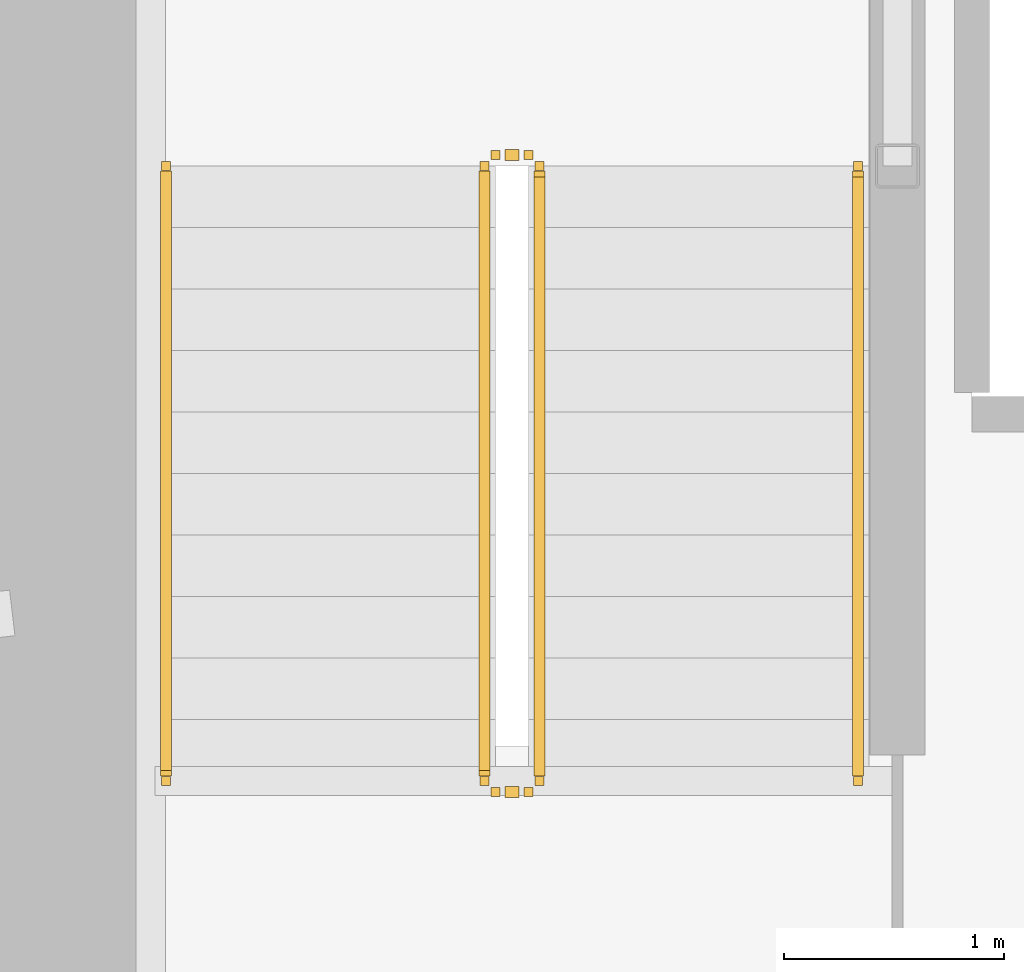
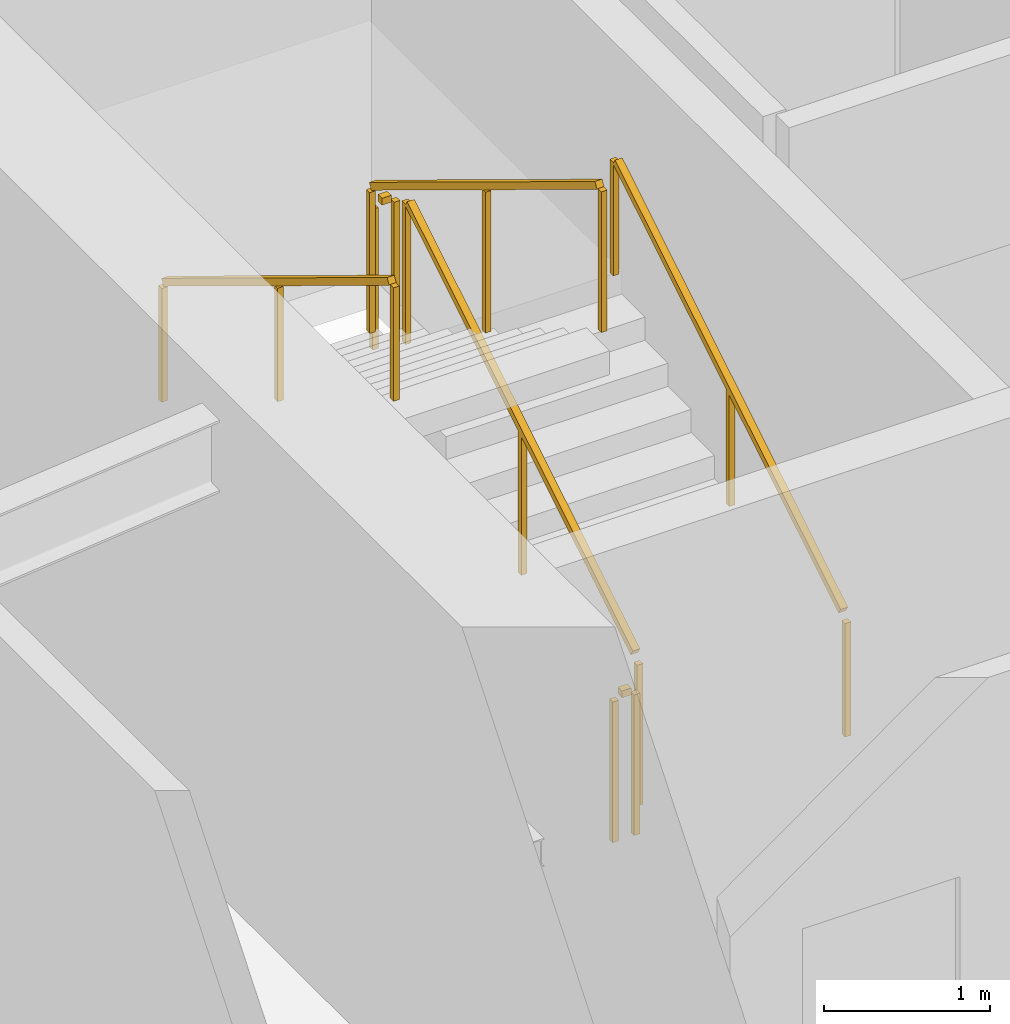
# One storey, part 18 of 23: 6 railings.
"""IFC4 building model written with IfcOpenShell, lengths in metres."""

from ifc_helpers import new_model, si_unit, direction, frame, origin, origin_2d, place, context, subcontext, project, spatial, rectangle, extrude, material, type_object, element, save


model = new_model("IFC4")

# Units and contexts
model_context = context("Model", 3, precision=1e-05, world=origin(), true_north=direction((0.0, 1.0)))
body_context = subcontext(model_context, "Body", "Model", "MODEL_VIEW")
ifc_project = project(units=[si_unit("LENGTHUNIT", "METRE"), si_unit("AREAUNIT", "SQUARE_METRE"), si_unit("VOLUMEUNIT", "CUBIC_METRE"), si_unit("PLANEANGLEUNIT", "RADIAN"), si_unit("MASSUNIT", "GRAM", prefix="KILO")], contexts=[model_context])

# Site, building, storey
site_placement = place(None, origin())
site = spatial("IfcSite", under=ifc_project, at=site_placement, CompositionType="ELEMENT")
building_placement = place(site_placement, origin())
building = spatial("IfcBuilding", under=site, at=building_placement, Name="Kazma Halo Residences", CompositionType="ELEMENT")
storey_placement = place(building_placement, frame((0.0, 0.0, 78.89990234375)))
storey = spatial("IfcBuildingStorey", under=building, at=storey_placement, Name="L19", CompositionType="ELEMENT", Elevation=78.89990234375)

# Railings
ifc_material_1 = material(Name="Painted Steel S355", Category="steel")
railing_type_1 = type_object("IfcRailingType", Name="RLG-STAIR-GRD-1100", PredefinedType="GUARDRAIL", material=ifc_material_1)
railing_1_placement = place(storey_placement, frame((39.550048828125, 39.949951171875, 0.170654296875)))
element("IfcRailing", 1, at=railing_1_placement, inside=storey, type_object=railing_type_1, Name="L19 ST-01 stair guard 1", PredefinedType="GUARDRAIL", context=body_context, shape_type="SweptSolid", body=[
    extrude(rectangle(XDim=0.050048828125, YDim=0.050048828125, at=origin_2d()), frame((0.0, 0.036376953125, 1.09716796875), z_axis=(0.0, 0.854202870247, 0.519939858505), x_axis=(-1.0, 0.0, 0.0)), (0.0, 0.0, 1.0), 3.19287109375),
    extrude(rectangle(XDim=0.0400390625, YDim=0.0400390625, at=origin_2d()), origin(), (0.0, 0.0, 1.0), 1.0380859375),
    extrude(rectangle(XDim=0.0400390625, YDim=0.0400390625, at=origin_2d()), frame((0.0, 1.39990234375, 0.85205078125)), (0.0, 0.0, 1.0), 1.0380859375),
    extrude(rectangle(XDim=0.0400390625, YDim=0.0400390625, at=origin_2d()), frame((0.0, 2.800048828125, 1.704345703125)), (0.0, 0.0, 1.0), 1.0380859375),
])
railing_2_placement = place(storey_placement, frame((39.5, 42.800048828125, 1.875)))
element("IfcRailing", 2, at=railing_2_placement, inside=storey, type_object=railing_type_1, Name="L19 ST-01 stair guard 2", PredefinedType="GUARDRAIL", context=body_context, shape_type="SweptSolid", body=[
    extrude(rectangle(XDim=0.050048828125, YDim=0.050048828125, at=origin_2d()), frame((-0.04248046875, 0.0, 1.0751953125), z_axis=(-1.0, 0.0, 0.0), x_axis=(0.0, -1.0, 0.0)), (0.0, 0.0, 1.0), 0.06494140625),
    extrude(rectangle(XDim=0.0400390625, YDim=0.0400390625, at=origin_2d()), origin(), (0.0, 0.0, 1.0), 1.0380859375),
    extrude(rectangle(XDim=0.0400390625, YDim=0.0400390625, at=origin_2d()), frame((-0.14990234375, 0.0, 0.0)), (0.0, 0.0, 1.0), 1.0380859375),
])
railing_3_placement = place(storey_placement, frame((39.300048828125, 42.75, 2.045654296875)))
element("IfcRailing", 3, at=railing_3_placement, inside=storey, type_object=railing_type_1, Name="L19 ST-01 stair guard 3", PredefinedType="GUARDRAIL", context=body_context, shape_type="SweptSolid", body=[
    extrude(rectangle(XDim=0.050048828125, YDim=0.050048828125, at=origin_2d()), frame((0.0, -0.036376953125, 1.09716796875), z_axis=(0.0, -0.854202870247, 0.519939858505), x_axis=(1.0, 0.0, 0.0)), (0.0, 0.0, 1.0), 3.19287109375),
    extrude(rectangle(XDim=0.0400390625, YDim=0.0400390625, at=origin_2d()), origin(), (0.0, 0.0, 1.0), 1.0380859375),
    extrude(rectangle(XDim=0.0400390625, YDim=0.0400390625, at=origin_2d()), frame((0.0, -1.39990234375, 0.85205078125)), (0.0, 0.0, 1.0), 1.0380859375),
    extrude(rectangle(XDim=0.0400390625, YDim=0.0400390625, at=origin_2d()), frame((0.0, -2.800048828125, 1.704345703125)), (0.0, 0.0, 1.0), 1.0380859375),
])
railing_4_placement = place(storey_placement, frame((39.5, 39.89990234375, 0.0)))
element("IfcRailing", 4, at=railing_4_placement, inside=storey, type_object=railing_type_1, Name="L19 ST-01 stair guard 4", PredefinedType="GUARDRAIL", context=body_context, shape_type="SweptSolid", body=[
    extrude(rectangle(XDim=0.050048828125, YDim=0.050048828125, at=origin_2d()), frame((-0.04248046875, 0.0, 1.0751953125), z_axis=(-1.0, 0.0, 0.0), x_axis=(0.0, -1.0, 0.0)), (0.0, 0.0, 1.0), 0.06494140625),
    extrude(rectangle(XDim=0.0400390625, YDim=0.0400390625, at=origin_2d()), origin(), (0.0, 0.0, 1.0), 1.0380859375),
    extrude(rectangle(XDim=0.0400390625, YDim=0.0400390625, at=origin_2d()), frame((-0.14990234375, 0.0, 0.0)), (0.0, 0.0, 1.0), 1.0380859375),
])
ifc_material_2 = material(Name="Brushed Stainless Steel", Category="steel")
railing_type_2 = type_object("IfcRailingType", Name="RLG-STAIR-HND-900", PredefinedType="HANDRAIL", material=ifc_material_2)
railing_5_placement = place(storey_placement, frame((41.0, 39.949951171875, 0.170654296875)))
element("IfcRailing", 5, at=railing_5_placement, inside=storey, type_object=railing_type_2, Name="L19 ST-01 stair handrail 1", PredefinedType="HANDRAIL", context=body_context, shape_type="SweptSolid", body=[
    extrude(rectangle(XDim=0.050048828125, YDim=0.050048828125, at=origin_2d()), frame((0.0, 0.036376953125, 0.89697265625), z_axis=(0.0, 0.854202870247, 0.519939858505), x_axis=(-1.0, 0.0, 0.0)), (0.0, 0.0, 1.0), 3.19287109375),
    extrude(rectangle(XDim=0.0400390625, YDim=0.0400390625, at=origin_2d()), origin(), (0.0, 0.0, 1.0), 0.837890625),
    extrude(rectangle(XDim=0.0400390625, YDim=0.0400390625, at=origin_2d()), frame((0.0, 1.39990234375, 0.85205078125)), (0.0, 0.0, 1.0), 0.837890625),
    extrude(rectangle(XDim=0.0400390625, YDim=0.0400390625, at=origin_2d()), frame((0.0, 2.800048828125, 1.704345703125)), (0.0, 0.0, 1.0), 0.837890625),
])
railing_6_placement = place(storey_placement, frame((37.85009765625, 42.75, 2.045654296875)))
element("IfcRailing", 6, at=railing_6_placement, inside=storey, type_object=railing_type_2, Name="L19 ST-01 stair handrail 2", PredefinedType="HANDRAIL", context=body_context, shape_type="SweptSolid", body=[
    extrude(rectangle(XDim=0.050048828125, YDim=0.050048828125, at=origin_2d()), frame((0.0, -0.036376953125, 0.89697265625), z_axis=(0.0, -0.854202870247, 0.519939858505), x_axis=(1.0, 0.0, 0.0)), (0.0, 0.0, 1.0), 3.19287109375),
    extrude(rectangle(XDim=0.0400390625, YDim=0.0400390625, at=origin_2d()), origin(), (0.0, 0.0, 1.0), 0.837890625),
    extrude(rectangle(XDim=0.0400390625, YDim=0.0400390625, at=origin_2d()), frame((0.0, -1.39990234375, 0.85205078125)), (0.0, 0.0, 1.0), 0.837890625),
    extrude(rectangle(XDim=0.0400390625, YDim=0.0400390625, at=origin_2d()), frame((0.0, -2.800048828125, 1.704345703125)), (0.0, 0.0, 1.0), 0.837890625),
])

save(model, "model.ifc")
